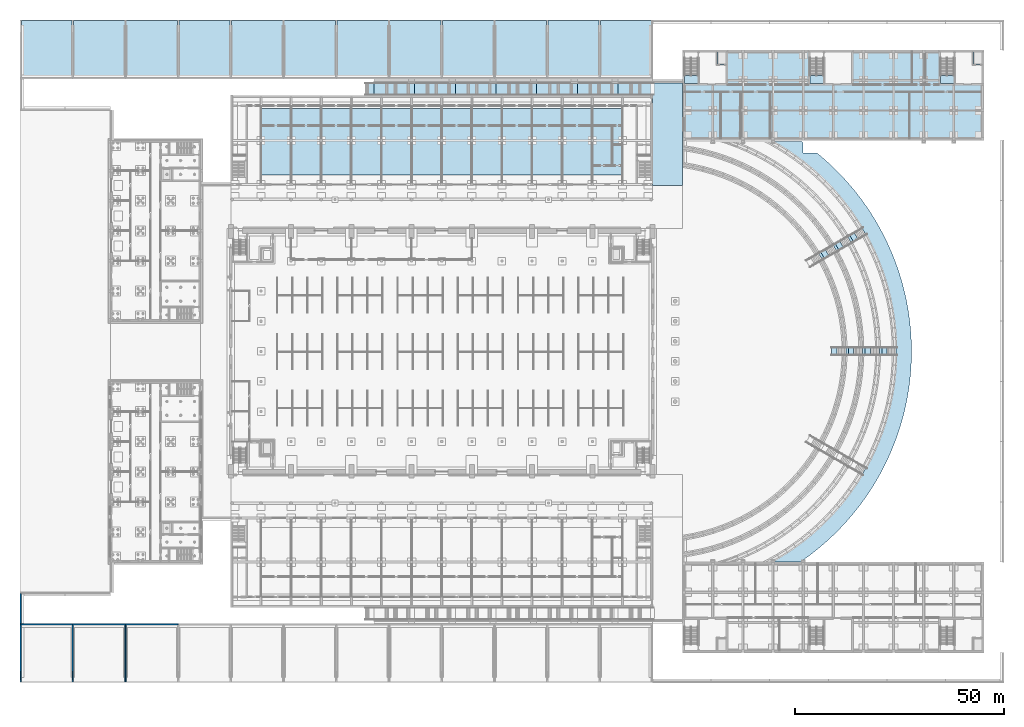
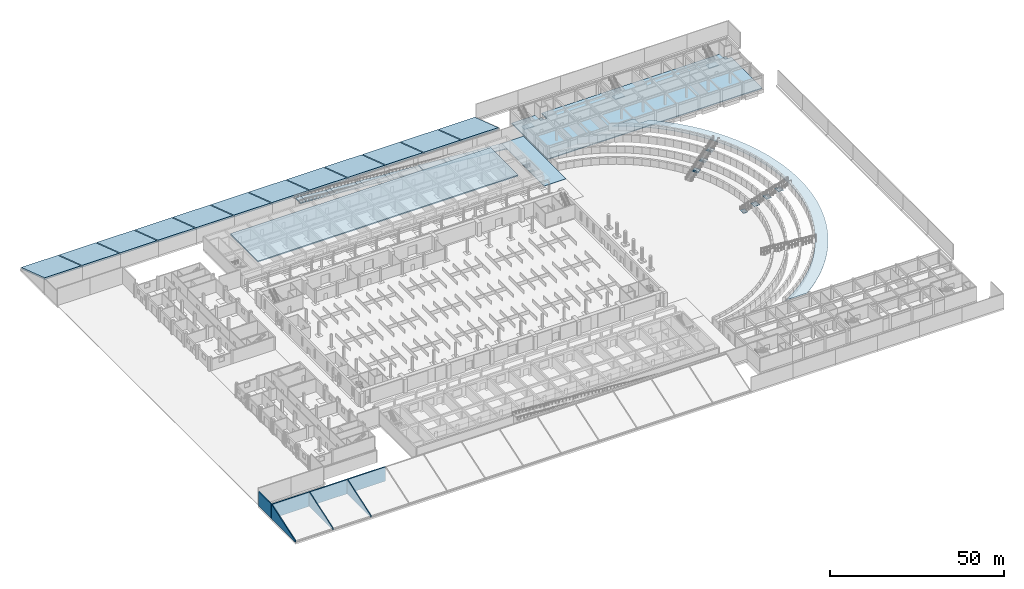
# One storey, part 27 of 73: 48 slabs, 7 walls, 3 elements without a shape of their own.
"""IFC4 building model written with IfcOpenShell, lengths in metres."""

from ifc_helpers import new_model, si_unit, direction, frame, frame_2d, origin, place, context, subcontext, project, spatial, polyline, rectangle, outline, extrude, material, layer, layer_set, type_object, element, aggregate, save


model = new_model("IFC4")

# Units and contexts
model_context = context("Model", 3, precision=1e-05, world=origin(), true_north=direction((0.0, 1.0)))
body_context = subcontext(model_context, "Body", "Model", "MODEL_VIEW")
ifc_project = project(units=[si_unit("LENGTHUNIT", "METRE"), si_unit("AREAUNIT", "SQUARE_METRE"), si_unit("VOLUMEUNIT", "CUBIC_METRE"), si_unit("PLANEANGLEUNIT", "RADIAN"), si_unit("MASSUNIT", "GRAM", prefix="KILO")], contexts=[model_context])

# Site, building, storey
site_placement = place(None, origin())
site = spatial("IfcSite", under=ifc_project, at=site_placement, CompositionType="ELEMENT")
building_placement = place(site_placement, origin())
building = spatial("IfcBuilding", under=site, at=building_placement, Name="Alderwick Market Hall", CompositionType="ELEMENT")
storey_placement = place(building_placement, origin())
storey = spatial("IfcBuildingStorey", under=building, at=storey_placement, Name="LG", CompositionType="ELEMENT", Elevation=0.0)

# Slabs
ifc_material_1 = material(Name="Concrete 4000 psi (f'c 28 MPa)", Category="concrete")
ifc_layer_1 = layer(ifc_material_1, 0.39990234375)
ifc_layer_set_1 = layer_set([ifc_layer_1], Name="Concrete 4000 psi (f'c 28 MPa)")
slab_type_1 = type_object("IfcSlabType", Name="A RC Roof Slab 400", PredefinedType="ROOF", material=ifc_layer_set_1)
slab_1_placement = place(storey_placement, frame((0.0, 0.0, 4.39990234375)))
element("IfcSlab", 1, at=slab_1_placement, inside=storey, type_object=slab_type_1, Name="Planter bank deck", PredefinedType="ROOF", context=body_context, shape_type="SweptSolid", body=[
    extrude(outline(polyline([(144.0, 121.35009765625), (144.0, 137.25), (57.60009765625, 137.25), (57.60009765625, 121.35009765625), (144.0, 121.35009765625)])), origin(), (0.0, 0.0, 1.0), 0.400146484375),
])
ifc_layer_2 = layer(ifc_material_1, 0.300048828125)
ifc_layer_set_2 = layer_set([ifc_layer_2], Name="Concrete 4000 psi (f'c 28 MPa)")
slab_type_2 = type_object("IfcSlabType", Name="F Lift Pit Slab Concrete 4000 psi 300", PredefinedType="BASESLAB", material=ifc_layer_set_2)
slab_2_placement = place(storey_placement, frame((0.0, 0.0, -1.800048828125)))
element("IfcSlab", 2, at=slab_2_placement, inside=storey, type_object=slab_type_2, Name="F.pitslab.LG.A", PredefinedType="BASESLAB", context=body_context, shape_type="SweptSolid", body=[
    extrude(outline(polyline([(166.699951171875, 147.800048828125), (168.800048828125, 147.800048828125), (168.800048828125, 150.800048828125), (166.699951171875, 150.800048828125), (166.699951171875, 147.800048828125)])), origin(), (0.0, 0.0, 1.0), 0.300048828125),
])
slab_3_placement = place(storey_placement, frame((0.0, 0.0, -1.800048828125)))
element("IfcSlab", 3, at=slab_3_placement, inside=storey, type_object=slab_type_2, Name="F.pitslab.LG.C", PredefinedType="BASESLAB", context=body_context, shape_type="SweptSolid", body=[
    extrude(outline(polyline([(227.89990234375, 147.800048828125), (230.0, 147.800048828125), (230.0, 150.800048828125), (227.89990234375, 150.800048828125), (227.89990234375, 147.800048828125)])), origin(), (0.0, 0.0, 1.0), 0.300048828125),
])
ifc_layer_3 = layer(ifc_material_1, 0.300048828125)
ifc_layer_set_3 = layer_set([ifc_layer_3], Name="Concrete 4000 psi (f'c 28 MPa)")
slab_type_3 = type_object("IfcSlabType", Name="F Slab on Grade Concrete 4000 psi 300", PredefinedType="BASESLAB", material=ifc_layer_set_3)
slab_4_placement = place(storey_placement, frame((0.0, 0.0, -0.300048828125)))
element("IfcSlab", 4, at=slab_4_placement, inside=storey, type_object=slab_type_3, Name="F.slab.LG.01", PredefinedType="BASESLAB", context=body_context, shape_type="SweptSolid", body=[
    extrude(outline(polyline([(230.0, 130.0), (158.800048828125, 130.0), (158.800048828125, 150.800048828125), (166.699951171875, 150.800048828125), (166.699951171875, 147.800048828125), (168.800048828125, 147.800048828125), (168.800048828125, 150.800048828125), (227.89990234375, 150.800048828125), (227.89990234375, 147.800048828125), (230.0, 147.800048828125), (230.0, 130.0)])), origin(), (0.0, 0.0, 1.0), 0.300048828125),
])

# Stair, slab
ifc_material_2 = material(Name="Concrete 5000 psi (f'c 35 MPa)", Category="concrete")
stair_type = type_object("IfcStairType", Name="F Exit Stair 1600", PredefinedType="HALF_TURN_STAIR", material=ifc_material_2)
stair_1_placement = place(storey_placement, origin())
stair_1 = element("IfcStair", 5, at=stair_1_placement, inside=storey, type_object=stair_type, Name="F.stair.LG.A", PredefinedType="HALF_TURN_STAIR")
ifc_layer_4 = layer(ifc_material_2, 0.199951171875)
ifc_layer_set_4 = layer_set([ifc_layer_4], Name="Concrete 5000 psi (f'c 35 MPa)")
slab_type_4 = type_object("IfcSlabType", Name="F Stair Landing Concrete 5000 psi 200", PredefinedType="LANDING", material=ifc_layer_set_4)
slab_5_placement = place(storey_placement, frame((0.0, 0.0, 2.199951171875)))
slab_5 = element("IfcSlab", 6, at=slab_5_placement, type_object=slab_type_4, Name="F-ST-A-LG landing 1", PredefinedType="LANDING", context=body_context, shape_type="SweptSolid", body=[
    extrude(outline(polyline([(158.800048828125, 143.199951171875), (162.0, 143.199951171875), (162.0, 145.10009765625), (158.800048828125, 145.10009765625), (158.800048828125, 143.199951171875)])), origin(), (0.0, 0.0, 1.0), 0.199951171875),
])
aggregate(stair_1, [slab_5])

stair_2_placement = place(storey_placement, origin())
stair_2 = element("IfcStair", 7, at=stair_2_placement, inside=storey, type_object=stair_type, Name="F.stair.LG.B", PredefinedType="HALF_TURN_STAIR")
slab_6_placement = place(storey_placement, frame((0.0, 0.0, 2.199951171875)))
slab_6 = element("IfcSlab", 8, at=slab_6_placement, type_object=slab_type_4, Name="F-ST-B-LG landing 1", PredefinedType="LANDING", context=body_context, shape_type="SweptSolid", body=[
    extrude(outline(polyline([(188.800048828125, 143.199951171875), (192.0, 143.199951171875), (192.0, 145.10009765625), (188.800048828125, 145.10009765625), (188.800048828125, 143.199951171875)])), origin(), (0.0, 0.0, 1.0), 0.199951171875),
])
aggregate(stair_2, [slab_6])

stair_3_placement = place(storey_placement, origin())
stair_3 = element("IfcStair", 9, at=stair_3_placement, inside=storey, type_object=stair_type, Name="F.stair.LG.C", PredefinedType="HALF_TURN_STAIR")
slab_7_placement = place(storey_placement, frame((0.0, 0.0, 2.199951171875)))
slab_7 = element("IfcSlab", 10, at=slab_7_placement, type_object=slab_type_4, Name="F-ST-C-LG landing 1", PredefinedType="LANDING", context=body_context, shape_type="SweptSolid", body=[
    extrude(outline(polyline([(220.0, 143.199951171875), (223.199951171875, 143.199951171875), (223.199951171875, 145.10009765625), (220.0, 145.10009765625), (220.0, 143.199951171875)])), origin(), (0.0, 0.0, 1.0), 0.199951171875),
])
aggregate(stair_3, [slab_7])

# Slabs
ifc_material_3 = material(Name="Planted soil build-up, Concrete 4000 psi (f'c 28 MPa) drainage layer", Category="concrete")
ifc_layer_5 = layer(ifc_material_3, 0.60009765625)
ifc_layer_set_5 = layer_set([ifc_layer_5], Name="Planted soil build-up, Concrete 4000 psi (f'c 28 MPa) drainage layer")
slab_type_5 = type_object("IfcSlabType", Name="S Berm Soil Build-up 600", PredefinedType="ROOF", material=ifc_layer_set_5)
slab_8_placement = place(storey_placement, frame((0.300048828125, 158.232177734375, 0.319091796875), z_axis=(0.0, 0.316238103955, 0.948679852009), x_axis=(1.0, 0.0, 0.0)))
element("IfcSlab", 11, at=slab_8_placement, inside=storey, type_object=slab_type_5, Name="Planted berm N01", PredefinedType="ROOF", context=body_context, shape_type="SweptSolid", body=[
    extrude(outline(polyline([(0.0, 0.0), (12.14990234375, 0.0), (12.14990234375, -14.169567092670977), (0.0, -14.169567092670977), (0.0, 0.0)])), origin(), (0.0, 0.0, -1.0), 0.60009765625),
])
slab_9_placement = place(storey_placement, frame((12.75, 158.232177734375, 0.319091796875), z_axis=(0.0, 0.316238103955, 0.948679852009), x_axis=(1.0, 0.0, 0.0)))
element("IfcSlab", 12, at=slab_9_placement, inside=storey, type_object=slab_type_5, Name="Planted berm N02", PredefinedType="ROOF", context=body_context, shape_type="SweptSolid", body=[
    extrude(outline(polyline([(0.0, 0.0), (12.300048828125, 0.0), (12.300048828125, -14.169567092670977), (0.0, -14.169567092670977), (0.0, 0.0)])), origin(), (0.0, 0.0, -1.0), 0.60009765625),
])
slab_10_placement = place(storey_placement, frame((25.35009765625, 158.232177734375, 0.319091796875), z_axis=(0.0, 0.316238103955, 0.948679852009), x_axis=(1.0, 0.0, 0.0)))
element("IfcSlab", 13, at=slab_10_placement, inside=storey, type_object=slab_type_5, Name="Planted berm N03", PredefinedType="ROOF", context=body_context, shape_type="SweptSolid", body=[
    extrude(outline(polyline([(0.0, 0.0), (12.2998046875, 0.0), (12.2998046875, -14.169567092670977), (0.0, -14.169567092670977), (0.0, 0.0)])), origin(), (0.0, 0.0, -1.0), 0.60009765625),
])
for number, where, z_axis, x_axis, name in (
    (14, (37.949951171875, 158.232177734375, 0.319091796875), (0.0, 0.316238103955, 0.948679852009), (1.0, 0.0, 0.0), "Planted berm N04"),
    (15, (50.550048828125, 158.232177734375, 0.319091796875), (0.0, 0.316238103955, 0.948679852009), (1.0, 0.0, 0.0), "Planted berm N05"),
    (16, (63.14990234375, 158.232177734375, 0.319091796875), (0.0, 0.316238103955, 0.948679852009), (1.0, 0.0, 0.0), "Planted berm N06"),
    (17, (75.75, 158.232177734375, 0.319091796875), (0.0, 0.316238103955, 0.948679852009), (1.0, 0.0, 0.0), "Planted berm N07"),
):
    element("IfcSlab", number, at=place(storey_placement, frame(where, z_axis=z_axis, x_axis=x_axis)), inside=storey, type_object=slab_type_5, Name=name, PredefinedType="ROOF", context=body_context, shape_type="SweptSolid", body=[
        extrude(outline(polyline([(0.0, 0.0), (12.300048828125, 0.0), (12.300048828125, -14.169567092670977), (0.0, -14.169567092670977), (0.0, 0.0)])), origin(), (0.0, 0.0, -1.0), 0.60009765625),
    ])
slab_11_placement = place(storey_placement, frame((88.35009765625, 158.232177734375, 0.319091796875), z_axis=(0.0, 0.316238103955, 0.948679852009), x_axis=(1.0, 0.0, 0.0)))
element("IfcSlab", 18, at=slab_11_placement, inside=storey, type_object=slab_type_5, Name="Planted berm N08", PredefinedType="ROOF", context=body_context, shape_type="SweptSolid", body=[
    extrude(outline(polyline([(0.0, 0.0), (12.2998046875, 0.0), (12.2998046875, -14.169567092670977), (0.0, -14.169567092670977), (0.0, 0.0)])), origin(), (0.0, 0.0, -1.0), 0.60009765625),
])
for number, where, z_axis, x_axis, name in (
    (19, (100.949951171875, 158.232177734375, 0.319091796875), (0.0, 0.316238103955, 0.948679852009), (1.0, 0.0, 0.0), "Planted berm N09"),
    (20, (113.550048828125, 158.232177734375, 0.319091796875), (0.0, 0.316238103955, 0.948679852009), (1.0, 0.0, 0.0), "Planted berm N10"),
    (21, (126.14990234375, 158.232177734375, 0.319091796875), (0.0, 0.316238103955, 0.948679852009), (1.0, 0.0, 0.0), "Planted berm N11"),
):
    element("IfcSlab", number, at=place(storey_placement, frame(where, z_axis=z_axis, x_axis=x_axis)), inside=storey, type_object=slab_type_5, Name=name, PredefinedType="ROOF", context=body_context, shape_type="SweptSolid", body=[
        extrude(outline(polyline([(0.0, 0.0), (12.300048828125, 0.0), (12.300048828125, -14.169567092670977), (0.0, -14.169567092670977), (0.0, 0.0)])), origin(), (0.0, 0.0, -1.0), 0.60009765625),
    ])
slab_12_placement = place(storey_placement, frame((138.75, 158.232177734375, 0.319091796875), z_axis=(0.0, 0.316238103955, 0.948679852009), x_axis=(1.0, 0.0, 0.0)))
element("IfcSlab", 22, at=slab_12_placement, inside=storey, type_object=slab_type_5, Name="Planted berm N12", PredefinedType="ROOF", context=body_context, shape_type="SweptSolid", body=[
    extrude(outline(polyline([(0.0, 0.0), (12.14990234375, 0.0), (12.14990234375, -14.169567092670977), (0.0, -14.169567092670977), (0.0, 0.0)])), origin(), (0.0, 0.0, -1.0), 0.60009765625),
])
ifc_layer_6 = layer(ifc_material_1, 0.25)
ifc_layer_set_6 = layer_set([ifc_layer_6], Name="Concrete 4000 psi (f'c 28 MPa)")
slab_type_6 = type_object("IfcSlabType", Name="S Paving Vehicular 250", PredefinedType="USERDEFINED", material=ifc_layer_set_6)
slab_13_placement = place(storey_placement, frame((0.0, 0.0, -0.25)))
element("IfcSlab", 23, at=slab_13_placement, inside=storey, type_object=slab_type_6, Name="Paving cut 02", ObjectType="PAVING SLAB", PredefinedType="USERDEFINED", context=body_context, shape_type="SweptSolid", body=[
    extrude(outline(polyline([(151.199951171875, 140.39990234375), (151.199951171875, 118.800048828125), (158.39990234375, 118.800048828125), (158.39990234375, 123.452392578125), (158.39990234375, 129.60009765625), (158.39990234375, 143.39990234375), (151.199951171875, 143.39990234375), (151.199951171875, 140.39990234375)])), origin(), (0.0, 0.0, 1.0), 0.25),
])
ifc_layer_7 = layer(ifc_material_1, 0.25)
ifc_layer_set_7 = layer_set([ifc_layer_7], Name="Concrete 4000 psi (f'c 28 MPa)")
slab_type_7 = type_object("IfcSlabType", Name="S Ramp Landing 250", PredefinedType="LANDING", material=ifc_layer_set_7)
slab_14_placement = place(storey_placement, frame((0.0, 0.0, 0.435791015625)))
element("IfcSlab", 24, at=slab_14_placement, inside=storey, type_object=slab_type_7, Name="S-RPN1 landing 1", PredefinedType="LANDING", context=body_context, shape_type="SweptSolid", body=[
    extrude(outline(polyline([(142.970947265625, 140.39990234375), (141.470947265625, 140.39990234375), (141.470947265625, 143.39990234375), (142.970947265625, 143.39990234375), (142.970947265625, 140.39990234375)])), origin(), (0.0, 0.0, 1.0), 0.25),
])
slab_15_placement = place(storey_placement, frame((0.0, 0.0, 1.121337890625)))
element("IfcSlab", 25, at=slab_15_placement, inside=storey, type_object=slab_type_7, Name="S-RPN2 landing 1", PredefinedType="LANDING", context=body_context, shape_type="SweptSolid", body=[
    extrude(outline(polyline([(133.242919921875, 140.39990234375), (131.742919921875, 140.39990234375), (131.742919921875, 143.39990234375), (133.242919921875, 143.39990234375), (133.242919921875, 140.39990234375)])), origin(), (0.0, 0.0, 1.0), 0.25),
])
slab_16_placement = place(storey_placement, frame((0.0, 0.0, 1.80712890625)))
element("IfcSlab", 26, at=slab_16_placement, inside=storey, type_object=slab_type_7, Name="S-RPN3 landing 1", PredefinedType="LANDING", context=body_context, shape_type="SweptSolid", body=[
    extrude(outline(polyline([(123.513916015625, 140.39990234375), (122.013916015625, 140.39990234375), (122.013916015625, 143.39990234375), (123.513916015625, 143.39990234375), (123.513916015625, 140.39990234375)])), origin(), (0.0, 0.0, 1.0), 0.25),
])
slab_17_placement = place(storey_placement, frame((0.0, 0.0, 2.492919921875)))
element("IfcSlab", 27, at=slab_17_placement, inside=storey, type_object=slab_type_7, Name="S-RPN4 landing 1", PredefinedType="LANDING", context=body_context, shape_type="SweptSolid", body=[
    extrude(outline(polyline([(113.785888671875, 140.39990234375), (112.285888671875, 140.39990234375), (112.285888671875, 143.39990234375), (113.785888671875, 143.39990234375), (113.785888671875, 140.39990234375)])), origin(), (0.0, 0.0, 1.0), 0.25),
])
slab_18_placement = place(storey_placement, frame((0.0, 0.0, 3.1787109375)))
element("IfcSlab", 28, at=slab_18_placement, inside=storey, type_object=slab_type_7, Name="S-RPN5 landing 1", PredefinedType="LANDING", context=body_context, shape_type="SweptSolid", body=[
    extrude(outline(polyline([(104.056884765625, 140.39990234375), (102.556884765625, 140.39990234375), (102.556884765625, 143.39990234375), (104.056884765625, 143.39990234375), (104.056884765625, 140.39990234375)])), origin(), (0.0, 0.0, 1.0), 0.25),
])
slab_19_placement = place(storey_placement, frame((0.0, 0.0, 3.8642578125)))
element("IfcSlab", 29, at=slab_19_placement, inside=storey, type_object=slab_type_7, Name="S-RPN6 landing 1", PredefinedType="LANDING", context=body_context, shape_type="SweptSolid", body=[
    extrude(outline(polyline([(94.3291015625, 140.39990234375), (92.8291015625, 140.39990234375), (92.8291015625, 143.39990234375), (94.3291015625, 143.39990234375), (94.3291015625, 140.39990234375)])), origin(), (0.0, 0.0, 1.0), 0.25),
])
slab_20_placement = place(storey_placement, frame((0.0, 0.0, 4.550048828125)))
element("IfcSlab", 30, at=slab_20_placement, inside=storey, type_object=slab_type_7, Name="S-RPN7 landing 1", PredefinedType="LANDING", context=body_context, shape_type="SweptSolid", body=[
    extrude(outline(polyline([(84.60009765625, 140.39990234375), (82.800048828125, 140.39990234375), (82.800048828125, 143.39990234375), (84.60009765625, 143.39990234375), (84.60009765625, 140.39990234375)])), origin(), (0.0, 0.0, 1.0), 0.25),
])
ifc_layer_8 = layer(ifc_material_1, 0.25)
ifc_layer_set_8 = layer_set([ifc_layer_8], Name="Concrete 4000 psi (f'c 28 MPa)")
slab_type_8 = type_object("IfcSlabType", Name="S Ramp Slab 250", PredefinedType="FLOOR", material=ifc_layer_set_8)
for number, where, z_axis, x_axis, name in (
    (31, (151.199951171875, 141.89990234375, 0.0), (0.0, 0.0, 1.0), (-1.0, 0.0, 0.0), "Ramp N1 flight 1"),
    (32, (141.470947265625, 141.89990234375, 0.685791015625), (0.0, 0.0, 1.0), (-1.0, 0.0, 0.0), "Ramp N2 flight 1"),
    (33, (131.742919921875, 141.89990234375, 1.371337890625), (0.0, 0.0, 1.0), (-1.0, 0.0, 0.0), "Ramp N3 flight 1"),
    (34, (122.013916015625, 141.89990234375, 2.05712890625), (0.0, 0.0, 1.0), (-1.0, 0.0, 0.0), "Ramp N4 flight 1"),
    (35, (112.285888671875, 141.89990234375, 2.742919921875), (0.0, 0.0, 1.0), (-1.0, 0.0, 0.0), "Ramp N5 flight 1"),
    (36, (102.556884765625, 141.89990234375, 3.4287109375), (0.0, 0.0, 1.0), (-1.0, 0.0, 0.0), "Ramp N6 flight 1"),
    (37, (92.8291015625, 141.89990234375, 4.1142578125), (0.0, 0.0, 1.0), (-1.0, 0.0, 0.0), "Ramp N7 flight 1"),
):
    element("IfcSlab", number, at=place(storey_placement, frame(where, z_axis=z_axis, x_axis=x_axis)), inside=storey, type_object=slab_type_8, Name=name, PredefinedType="FLOOR", context=body_context, shape_type="SweptSolid", body=[
        extrude(outline(polyline([(0.0, 0.0), (8.228515625, 0.685791015625), (8.228515625, 0.435791015625), (0.0, -0.25), (0.0, 0.0)])), frame((0.0, 1.5, 0.0), z_axis=(0.0, -1.0, 0.0), x_axis=(1.0, 0.0, 0.0)), (0.0, 0.0, 1.0), 3.0),
    ])
ifc_layer_9 = layer(ifc_material_1, 0.14990234375)
ifc_layer_set_9 = layer_set([ifc_layer_9], Name="Concrete 4000 psi (f'c 28 MPa)")
slab_type_9 = type_object("IfcSlabType", Name="S Terrace Deck 150", PredefinedType="USERDEFINED", material=ifc_layer_set_9)
slab_21_placement = place(storey_placement, frame((0.0, 0.0, 1.050048828125)))
element("IfcSlab", 38, at=slab_21_placement, inside=storey, type_object=slab_type_9, Name="Stair arrival pad 1.2", ObjectType="PAVING SLAB", PredefinedType="USERDEFINED", context=body_context, shape_type="SweptSolid", body=[
    extrude(outline(polyline([(197.3984375, 80.25), (197.3984375, 78.14990234375), (197.99853515625, 78.14990234375), (197.99853515625, 80.25), (197.3984375, 80.25)])), origin(), (0.0, 0.0, 1.0), 0.14990234375),
])
slab_22_placement = place(storey_placement, frame((0.0, 0.0, 1.050048828125)))
element("IfcSlab", 39, at=slab_22_placement, inside=storey, type_object=slab_type_9, Name="Stair arrival pad 1.3", ObjectType="PAVING SLAB", PredefinedType="USERDEFINED", context=body_context, shape_type="SweptSolid", body=[
    extrude(outline(polyline([(190.8046875, 102.758544921875), (191.854736328125, 100.93994140625), (192.374267578125, 101.239990234375), (191.32421875, 103.05859375), (190.8046875, 102.758544921875)])), origin(), (0.0, 0.0, 1.0), 0.14990234375),
])
slab_23_placement = place(storey_placement, frame((0.0, 0.0, 2.25)))
element("IfcSlab", 40, at=slab_23_placement, inside=storey, type_object=slab_type_9, Name="Stair arrival pad 2.2", ObjectType="PAVING SLAB", PredefinedType="USERDEFINED", context=body_context, shape_type="SweptSolid", body=[
    extrude(outline(polyline([(201.3994140625, 80.25), (201.3994140625, 78.14990234375), (201.99951171875, 78.14990234375), (201.99951171875, 80.25), (201.3994140625, 80.25)])), origin(), (0.0, 0.0, 1.0), 0.14990234375),
])
slab_24_placement = place(storey_placement, frame((0.0, 0.0, 2.25)))
element("IfcSlab", 41, at=slab_24_placement, inside=storey, type_object=slab_type_9, Name="Stair arrival pad 2.3", ObjectType="PAVING SLAB", PredefinedType="USERDEFINED", context=body_context, shape_type="SweptSolid", body=[
    extrude(outline(polyline([(194.26953125, 104.759033203125), (195.319580078125, 102.9404296875), (195.839111328125, 103.240478515625), (194.789306640625, 105.05908203125), (194.26953125, 104.759033203125)])), origin(), (0.0, 0.0, 1.0), 0.14990234375),
])
slab_25_placement = place(storey_placement, frame((0.0, 0.0, 3.449951171875)))
element("IfcSlab", 42, at=slab_25_placement, inside=storey, type_object=slab_type_9, Name="Stair arrival pad 3.2", ObjectType="PAVING SLAB", PredefinedType="USERDEFINED", context=body_context, shape_type="SweptSolid", body=[
    extrude(outline(polyline([(205.400390625, 80.25), (205.400390625, 78.14990234375), (206.000244140625, 78.14990234375), (206.000244140625, 80.25), (205.400390625, 80.25)])), origin(), (0.0, 0.0, 1.0), 0.150146484375),
])
slab_26_placement = place(storey_placement, frame((0.0, 0.0, 3.449951171875)))
element("IfcSlab", 43, at=slab_26_placement, inside=storey, type_object=slab_type_9, Name="Stair arrival pad 3.3", ObjectType="PAVING SLAB", PredefinedType="USERDEFINED", context=body_context, shape_type="SweptSolid", body=[
    extrude(outline(polyline([(197.734375, 106.759521484375), (198.784423828125, 104.94091796875), (199.303955078125, 105.24072265625), (198.25390625, 107.0595703125), (197.734375, 106.759521484375)])), origin(), (0.0, 0.0, 1.0), 0.150146484375),
])
slab_27_placement = place(storey_placement, frame((0.0, 0.0, 4.5)))
element("IfcSlab", 44, at=slab_27_placement, inside=storey, type_object=slab_type_9, Name="Terrace tread 4.01", ObjectType="PAVING SLAB", PredefinedType="USERDEFINED", context=body_context, shape_type="SweptSolid", body=[
    extrude(outline(polyline([(181.38330078125, 29.94775390625), (179.359375, 28.800048828125), (186.4599609375, 28.800048828125), (187.088134765625, 29.231689453125), (187.954833984375, 29.85009765625), (188.810791015625, 30.483154296875), (189.6552734375, 31.13134765625), (190.488525390625, 31.794189453125), (191.31005859375, 32.47119140625), (192.11962890625, 33.16259765625), (192.9169921875, 33.8681640625), (193.701904296875, 34.58740234375), (194.47412109375, 35.3203125), (195.2333984375, 36.06640625), (195.979736328125, 36.82568359375), (196.712646484375, 37.59814453125), (197.431884765625, 38.383056640625), (198.13720703125, 39.180419921875), (198.82861328125, 39.989990234375), (199.505859375, 40.8115234375), (200.168701171875, 41.644775390625), (200.81689453125, 42.4892578125), (201.449951171875, 43.34521484375), (202.068359375, 44.2119140625), (202.67138671875, 45.089111328125), (203.2587890625, 45.97705078125), (203.830810546875, 46.875), (204.38720703125, 47.78271484375), (204.927490234375, 48.699951171875), (205.451904296875, 49.626708984375), (205.959716796875, 50.562255859375), (206.451416015625, 51.506591796875), (206.926513671875, 52.45947265625), (207.384765625, 53.42041015625), (207.826416015625, 54.38916015625), (208.250732421875, 55.365478515625), (208.658203125, 56.34912109375), (209.04833984375, 57.339599609375), (209.421142578125, 58.3369140625), (209.776611328125, 59.34033203125), (210.114501953125, 60.35009765625), (210.4345703125, 61.365234375), (210.737060546875, 62.385986328125), (211.021484375, 63.412109375), (211.2880859375, 64.44287109375), (211.53662109375, 65.47802734375), (211.76708984375, 66.517333984375), (211.979248046875, 67.560791015625), (212.17333984375, 68.607421875), (212.34912109375, 69.657470703125), (212.50634765625, 70.71044921875), (212.645263671875, 71.76611328125), (212.765869140625, 72.82373046875), (212.867919921875, 73.883544921875), (212.951416015625, 74.94482421875), (213.016357421875, 76.007568359375), (213.062744140625, 77.071044921875), (213.0908203125, 78.135498046875), (213.10009765625, 79.199951171875), (213.0908203125, 80.2646484375), (213.062744140625, 81.328857421875), (213.016357421875, 82.392578125), (212.951416015625, 83.455078125), (212.867919921875, 84.5166015625), (212.765869140625, 85.576171875), (212.645263671875, 86.634033203125), (212.50634765625, 87.689697265625), (212.34912109375, 88.742431640625), (212.17333984375, 89.79248046875), (211.979248046875, 90.83935546875), (211.76708984375, 91.882568359375), (211.53662109375, 92.922119140625), (211.2880859375, 93.957275390625), (211.021484375, 94.988037109375), (210.737060546875, 96.013916015625), (210.4345703125, 97.03466796875), (210.114501953125, 98.050048828125), (209.776611328125, 99.059814453125), (209.421142578125, 100.063232421875), (209.04833984375, 101.060302734375), (208.658203125, 102.051025390625), (208.250732421875, 103.03466796875), (207.826416015625, 104.010986328125), (207.384765625, 104.979736328125), (206.926513671875, 105.940673828125), (206.451416015625, 106.893310546875), (205.959716796875, 107.837890625), (205.451904296875, 108.7734375), (204.927490234375, 109.699951171875), (204.38720703125, 110.6171875), (203.830810546875, 111.525146484375), (203.2587890625, 112.423095703125), (202.67138671875, 113.310791015625), (202.068359375, 114.188232421875), (201.449951171875, 115.054931640625), (200.81689453125, 115.91064453125), (200.168701171875, 116.75537109375), (199.505859375, 117.58837890625), (198.82861328125, 118.409912109375), (198.13720703125, 119.219482421875), (197.431884765625, 120.01708984375), (196.712646484375, 120.802001953125), (195.979736328125, 121.57421875), (195.2333984375, 122.33349609375), (194.47412109375, 123.07958984375), (193.701904296875, 123.8125), (192.9169921875, 124.53173828125), (192.11962890625, 125.2373046875), (191.31005859375, 125.9287109375), (190.49560546875, 126.60009765625), (187.199951171875, 126.60009765625), (187.199951171875, 129.08837890625), (187.088134765625, 129.168212890625), (186.82373046875, 129.35009765625), (179.80029296875, 129.35009765625), (181.38330078125, 128.452392578125), (183.38232421875, 127.20751953125), (185.32861328125, 125.88134765625), (187.218994140625, 124.4765625), (189.0498046875, 122.9951171875), (190.818115234375, 121.439697265625), (192.521240234375, 119.81298828125), (194.156005859375, 118.117919921875), (195.719482421875, 116.356689453125), (197.209716796875, 114.532958984375), (198.62353515625, 112.6494140625), (199.958740234375, 110.70947265625), (201.209716796875, 108.721435546875), (202.22119140625, 106.969482421875), (203.30712890625, 104.912353515625), (204.311279296875, 102.806884765625), (205.228759765625, 100.66259765625), (206.05810546875, 98.482421875), (206.798095703125, 96.2705078125), (207.447509765625, 94.0302734375), (208.00537109375, 91.765380859375), (208.470458984375, 89.47998046875), (208.842041015625, 87.17724609375), (209.11962890625, 84.861328125), (209.302978515625, 82.5361328125), (209.39111328125, 80.21142578125), (209.39111328125, 78.188720703125), (209.302978515625, 75.864013671875), (209.11962890625, 73.538818359375), (208.842041015625, 71.222900390625), (208.470458984375, 68.920166015625), (208.00537109375, 66.634521484375), (207.447509765625, 64.36962890625), (206.798095703125, 62.12939453125), (206.05810546875, 59.91748046875), (205.228759765625, 57.7373046875), (204.311279296875, 55.593017578125), (203.30712890625, 53.48779296875), (202.22119140625, 51.430419921875), (201.209716796875, 49.6787109375), (199.958740234375, 47.690673828125), (198.62353515625, 45.75048828125), (197.209716796875, 43.8671875), (195.719482421875, 42.043212890625), (194.156005859375, 40.2822265625), (192.521240234375, 38.5869140625), (190.818115234375, 36.960205078125), (189.0498046875, 35.40478515625), (187.218994140625, 33.923583984375), (185.32861328125, 32.5185546875), (183.38232421875, 31.192626953125), (181.38330078125, 29.94775390625)])), origin(), (0.0, 0.0, 1.0), 0.14990234375),
])
slab_28_placement = place(storey_placement, frame((0.0, 0.0, -0.14990234375)))
element("IfcSlab", 45, at=slab_28_placement, inside=storey, type_object=slab_type_9, Name="Stair foot pad 1.2", ObjectType="PAVING SLAB", PredefinedType="USERDEFINED", context=body_context, shape_type="SweptSolid", body=[
    extrude(outline(polyline([(193.948486328125, 80.199951171875), (193.948486328125, 78.199951171875), (195.24853515625, 78.199951171875), (195.24853515625, 80.199951171875), (193.948486328125, 80.199951171875)])), origin(), (0.0, 0.0, 1.0), 0.14990234375),
])
slab_29_placement = place(storey_placement, frame((0.0, 0.0, 1.050048828125)))
element("IfcSlab", 46, at=slab_29_placement, inside=storey, type_object=slab_type_9, Name="Stair foot pad 2.2", ObjectType="PAVING SLAB", PredefinedType="USERDEFINED", context=body_context, shape_type="SweptSolid", body=[
    extrude(outline(polyline([(197.949462890625, 80.199951171875), (197.949462890625, 78.199951171875), (199.24951171875, 78.199951171875), (199.24951171875, 80.199951171875), (197.949462890625, 80.199951171875)])), origin(), (0.0, 0.0, 1.0), 0.14990234375),
])
slab_30_placement = place(storey_placement, frame((0.0, 0.0, 1.050048828125)))
element("IfcSlab", 47, at=slab_30_placement, inside=storey, type_object=slab_type_9, Name="Stair foot pad 2.3", ObjectType="PAVING SLAB", PredefinedType="USERDEFINED", context=body_context, shape_type="SweptSolid", body=[
    extrude(outline(polyline([(191.306884765625, 102.99072265625), (192.306884765625, 101.2587890625), (193.4326171875, 101.90869140625), (192.4326171875, 103.640869140625), (191.306884765625, 102.99072265625)])), origin(), (0.0, 0.0, 1.0), 0.14990234375),
])
slab_31_placement = place(storey_placement, frame((0.0, 0.0, 2.25)))
element("IfcSlab", 48, at=slab_31_placement, inside=storey, type_object=slab_type_9, Name="Stair foot pad 3.2", ObjectType="PAVING SLAB", PredefinedType="USERDEFINED", context=body_context, shape_type="SweptSolid", body=[
    extrude(outline(polyline([(201.9501953125, 80.199951171875), (201.9501953125, 78.199951171875), (203.250244140625, 78.199951171875), (203.250244140625, 80.199951171875), (201.9501953125, 80.199951171875)])), origin(), (0.0, 0.0, 1.0), 0.14990234375),
])
slab_32_placement = place(storey_placement, frame((0.0, 0.0, 2.25)))
element("IfcSlab", 49, at=slab_32_placement, inside=storey, type_object=slab_type_9, Name="Stair foot pad 3.3", ObjectType="PAVING SLAB", PredefinedType="USERDEFINED", context=body_context, shape_type="SweptSolid", body=[
    extrude(outline(polyline([(194.771484375, 104.9912109375), (195.771484375, 103.259033203125), (196.8974609375, 103.9091796875), (195.8974609375, 105.64111328125), (194.771484375, 104.9912109375)])), origin(), (0.0, 0.0, 1.0), 0.14990234375),
])
slab_33_placement = place(storey_placement, frame((0.0, 0.0, 3.449951171875)))
element("IfcSlab", 50, at=slab_33_placement, inside=storey, type_object=slab_type_9, Name="Stair foot pad 4.2", ObjectType="PAVING SLAB", PredefinedType="USERDEFINED", context=body_context, shape_type="SweptSolid", body=[
    extrude(outline(polyline([(205.950927734375, 80.199951171875), (205.950927734375, 78.199951171875), (207.2509765625, 78.199951171875), (207.2509765625, 80.199951171875), (205.950927734375, 80.199951171875)])), origin(), (0.0, 0.0, 1.0), 0.150146484375),
])
slab_34_placement = place(storey_placement, frame((0.0, 0.0, 3.449951171875)))
element("IfcSlab", 51, at=slab_34_placement, inside=storey, type_object=slab_type_9, Name="Stair foot pad 4.3", ObjectType="PAVING SLAB", PredefinedType="USERDEFINED", context=body_context, shape_type="SweptSolid", body=[
    extrude(outline(polyline([(198.236328125, 106.991455078125), (199.236328125, 105.259521484375), (200.3623046875, 105.909423828125), (199.3623046875, 107.6416015625), (198.236328125, 106.991455078125)])), origin(), (0.0, 0.0, 1.0), 0.150146484375),
])

# Walls
ifc_layer_10 = layer(ifc_material_2, 0.300048828125)
ifc_layer_set_10 = layer_set([ifc_layer_10], Name="Concrete 5000 psi (f'c 35 MPa)")
wall_type = type_object("IfcWallType", Name="S Retaining Wall 300", PredefinedType="SOLIDWALL", material=ifc_layer_set_10)
wall_1_placement = place(storey_placement, frame((0.0009765625, 13.949951171875, -0.25), z_axis=(0.0, 0.0, 1.0), x_axis=(1.0, 0.0, 0.0)))
element("IfcWall", 52, at=wall_1_placement, inside=storey, type_object=wall_type, Name="Berm crest wall S01", PredefinedType="SOLIDWALL", context=body_context, shape_type="SweptSolid", body=[
    extrude(rectangle(XDim=12.59912109375, YDim=0.300048828125, at=frame_2d((6.299560546875, 0.0))), origin(), (0.0, 0.0, 1.0), 5.050048828125),
])
wall_2_placement = place(storey_placement, frame((12.60009765625, 13.949951171875, -0.25), z_axis=(0.0, 0.0, 1.0), x_axis=(1.0, 0.0, 0.0)))
element("IfcWall", 53, at=wall_2_placement, inside=storey, type_object=wall_type, Name="Berm crest wall S02", PredefinedType="SOLIDWALL", context=body_context, shape_type="SweptSolid", body=[
    extrude(rectangle(XDim=12.599853515625, YDim=0.300048828125, at=frame_2d((6.2998046875, 0.0))), origin(), (0.0, 0.0, 1.0), 5.050048828125),
])
wall_3_placement = place(storey_placement, frame((25.199951171875, 13.949951171875, -0.25), z_axis=(0.0, 0.0, 1.0), x_axis=(1.0, 0.0, 0.0)))
element("IfcWall", 54, at=wall_3_placement, inside=storey, type_object=wall_type, Name="Berm crest wall S03", PredefinedType="SOLIDWALL", context=body_context, shape_type="SweptSolid", body=[
    extrude(rectangle(XDim=12.60009765625, YDim=0.300048828125, at=frame_2d((6.300048828125, 0.0))), origin(), (0.0, 0.0, 1.0), 5.050048828125),
])
for number, where, z_axis, x_axis, name in (
    (55, (0.15087890625, 13.800048828125, -0.25), (0.0, 0.0, 1.0), (0.0, -1.0, 0.0), "Berm cross wall S01"),
    (56, (12.60009765625, 13.800048828125, -0.25), (0.0, 0.0, 1.0), (0.0, -1.0, 0.0), "Berm cross wall S02"),
    (57, (25.199951171875, 13.800048828125, -0.25), (0.0, 0.0, 1.0), (0.0, -1.0, 0.0), "Berm cross wall S03"),
):
    element("IfcWall", number, at=place(storey_placement, frame(where, z_axis=z_axis, x_axis=x_axis)), inside=storey, type_object=wall_type, Name=name, PredefinedType="SOLIDWALL", context=body_context, shape_type="SweptSolid", body=[
        extrude(outline(polyline([(0.0, 0.0), (13.632080078125, 0.0), (13.632080078125, 0.569091796875), (0.189697265625, 5.050048828125), (0.0, 5.050048828125), (0.0, 0.0)])), frame((0.0, 0.14990234375, 0.0), z_axis=(0.0, -1.0, 0.0), x_axis=(1.0, 0.0, 0.0)), (0.0, 0.0, 1.0), 0.300048828125),
    ])
wall_4_placement = place(storey_placement, frame((0.15087890625, 14.10009765625, -0.25), z_axis=(0.0, 0.0, 1.0), x_axis=(0.0, 1.0, 0.0)))
element("IfcWall", 58, at=wall_4_placement, inside=storey, type_object=wall_type, Name="Boundary wall W06a", PredefinedType="SOLIDWALL", context=body_context, shape_type="SweptSolid", body=[
    extrude(rectangle(XDim=7.199951171875, YDim=0.300048828125, at=frame_2d((3.60009765625, 0.0))), origin(), (0.0, 0.0, 1.0), 5.050048828125),
])

save(model, "model.ifc")
